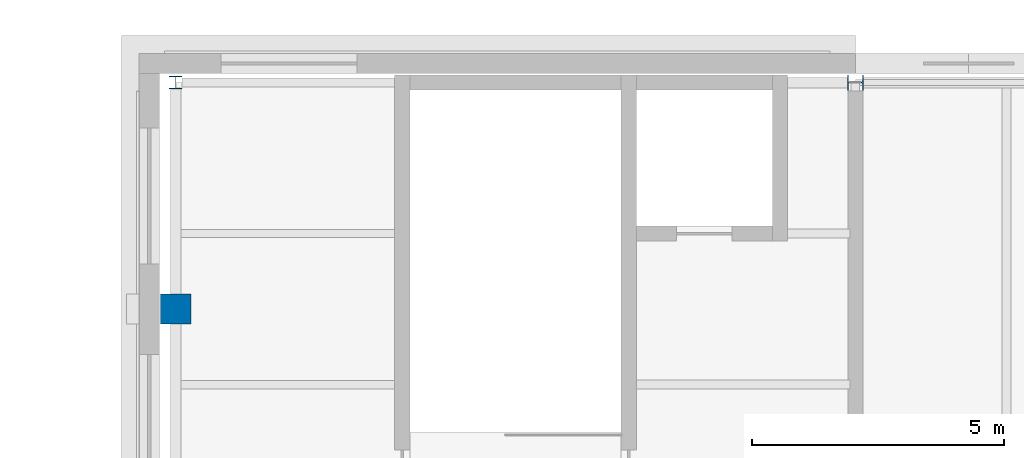
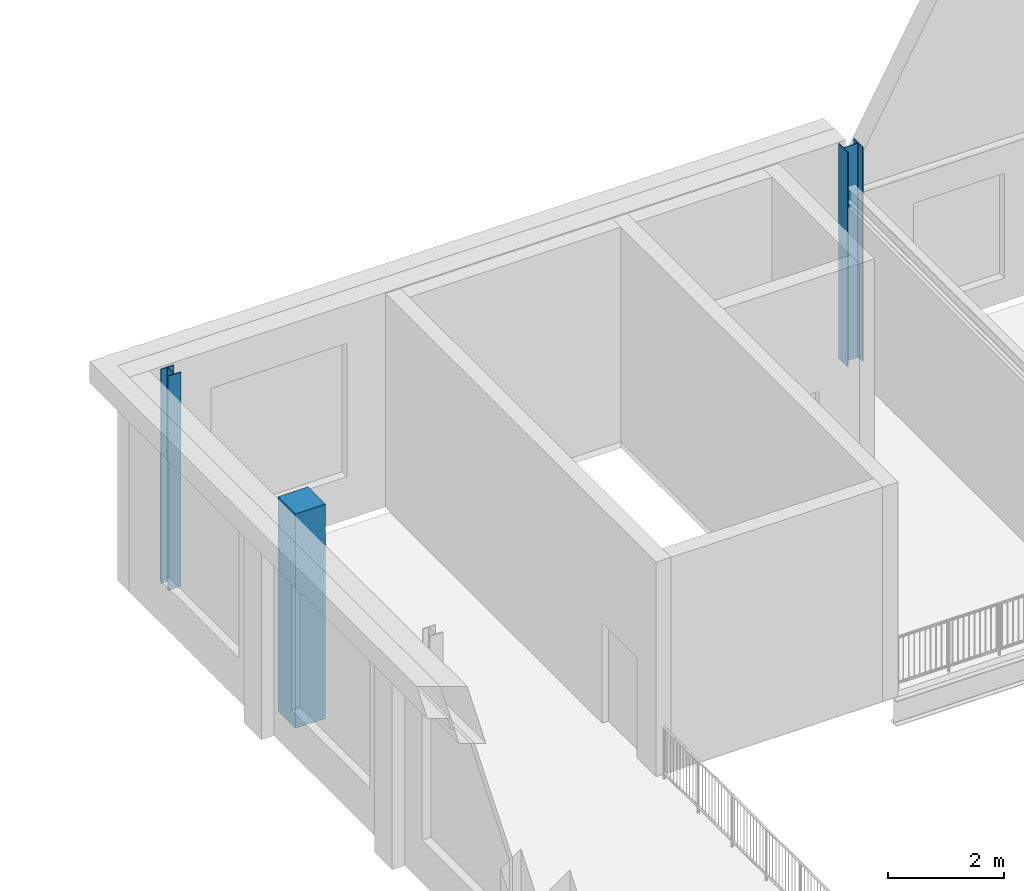
# One storey, part 6 of 59: 3 columns.
"""IFC4 building model written with IfcOpenShell, lengths in metres."""

from ifc_helpers import new_model, si_unit, direction, frame, origin, origin_2d, place, context, subcontext, project, spatial, rectangle, i_section, extrude, material, material_profile, profile_set, type_object, element, save


model = new_model("IFC4")

# Units and contexts
model_context = context("Model", 3, precision=1e-05, world=origin(), true_north=direction((0.0, 1.0)))
body_context = subcontext(model_context, "Body", "Model", "MODEL_VIEW")
ifc_project = project(units=[si_unit("LENGTHUNIT", "METRE"), si_unit("AREAUNIT", "SQUARE_METRE"), si_unit("VOLUMEUNIT", "CUBIC_METRE"), si_unit("PLANEANGLEUNIT", "RADIAN"), si_unit("MASSUNIT", "GRAM", prefix="KILO")], contexts=[model_context])

# Site, building, storey
site_placement = place(None, origin())
site = spatial("IfcSite", under=ifc_project, at=site_placement, CompositionType="ELEMENT")
building_placement = place(site_placement, origin())
building = spatial("IfcBuilding", under=site, at=building_placement, Name="Hortulan Conservatory and Botanical Research Centre", CompositionType="ELEMENT")
storey_placement = place(building_placement, frame((0.0, 0.0, 10.5)))
storey = spatial("IfcBuildingStorey", under=building, at=storey_placement, Name="L02", CompositionType="ELEMENT", Elevation=10.5)

# Columns
ifc_material_1 = material(Name="Steel Grade 300PLUS (AS/NZS 3679.1, 280 MPa minimum yield)", Category="steel")
ifc_material_profile_1 = material_profile(ifc_material_1, i_section(OverallWidth=0.256103515625, OverallDepth=0.260009765625, WebThickness=0.010498046875, FlangeThickness=0.017333984375, FilletRadius=0.013916015625, at=origin_2d()), Name="250UC89.5")
ifc_profile_set_1 = profile_set([ifc_material_profile_1], Name="Steel Grade 300PLUS (AS/NZS 3679.1, 280 MPa minimum yield)")
column_type_1 = type_object("IfcColumnType", Name="Auditorium Column 250UC89.5", PredefinedType="COLUMN", material=ifc_profile_set_1)
column_1_placement = place(storey_placement, frame((76.5, 72.0, 0.0), z_axis=(0.0, 0.0, 1.0), x_axis=(1.0, 0.0, 0.0)))
element("IfcColumn", 1, at=column_1_placement, inside=storey, type_object=column_type_1, Name="250UC89.5 column", PredefinedType="COLUMN", context=body_context, shape_type="SweptSolid", body=[
    extrude(i_section(OverallWidth=0.256103515625, OverallDepth=0.260009765625, WebThickness=0.010498046875, FlangeThickness=0.017333984375, FilletRadius=0.013916015625, at=origin_2d()), origin(), (0.0, 0.0, 1.0), 4.5),
])
ifc_material_profile_2 = material_profile(ifc_material_1, i_section(OverallWidth=0.30908203125, OverallDepth=0.321044921875, WebThickness=0.013916015625, FlangeThickness=0.021728515625, FilletRadius=0.0166015625, at=origin_2d()), Name="310UC137")
ifc_profile_set_2 = profile_set([ifc_material_profile_2], Name="Steel Grade 300PLUS (AS/NZS 3679.1, 280 MPa minimum yield)")
column_type_2 = type_object("IfcColumnType", Name="Auditorium Column 310UC137", PredefinedType="COLUMN", material=ifc_profile_set_2)
column_2_placement = place(storey_placement, frame((90.0, 72.0, 0.0), z_axis=(0.0, 0.0, 1.0), x_axis=(0.0, 1.0, 0.0)))
element("IfcColumn", 2, at=column_2_placement, inside=storey, type_object=column_type_2, Name="310UC137 column", PredefinedType="COLUMN", context=body_context, shape_type="SweptSolid", body=[
    extrude(i_section(OverallWidth=0.30908203125, OverallDepth=0.321044921875, WebThickness=0.013916015625, FlangeThickness=0.021728515625, FilletRadius=0.0166015625, at=origin_2d()), origin(), (0.0, 0.0, 1.0), 4.5),
])
ifc_material_2 = material(Name="Sandstone masonry (25 MPa, AS 3700)", Category="masonry")
ifc_material_profile_3 = material_profile(ifc_material_2, rectangle(XDim=0.60009765625, YDim=0.60009765625, at=origin_2d()), Name="Square pier 600")
ifc_profile_set_3 = profile_set([ifc_material_profile_3], Name="Sandstone masonry (25 MPa, AS 3700)")
column_type_3 = type_object("IfcColumnType", Name="Sandstone Arcade Pier 600x600", PredefinedType="COLUMN", material=ifc_profile_set_3)
column_3_placement = place(storey_placement, frame((76.5, 67.5, 0.0), z_axis=(0.0, 0.0, 1.0), x_axis=(1.0, 0.0, 0.0)))
element("IfcColumn", 3, at=column_3_placement, inside=storey, type_object=column_type_3, Name="Sandstone arcade pier P-76.5-67.5 L02", PredefinedType="COLUMN", context=body_context, shape_type="SweptSolid", body=[
    extrude(rectangle(XDim=0.60009765625, YDim=0.60009765625, at=origin_2d()), origin(), (0.0, 0.0, 1.0), 4.5),
])

save(model, "model.ifc")
